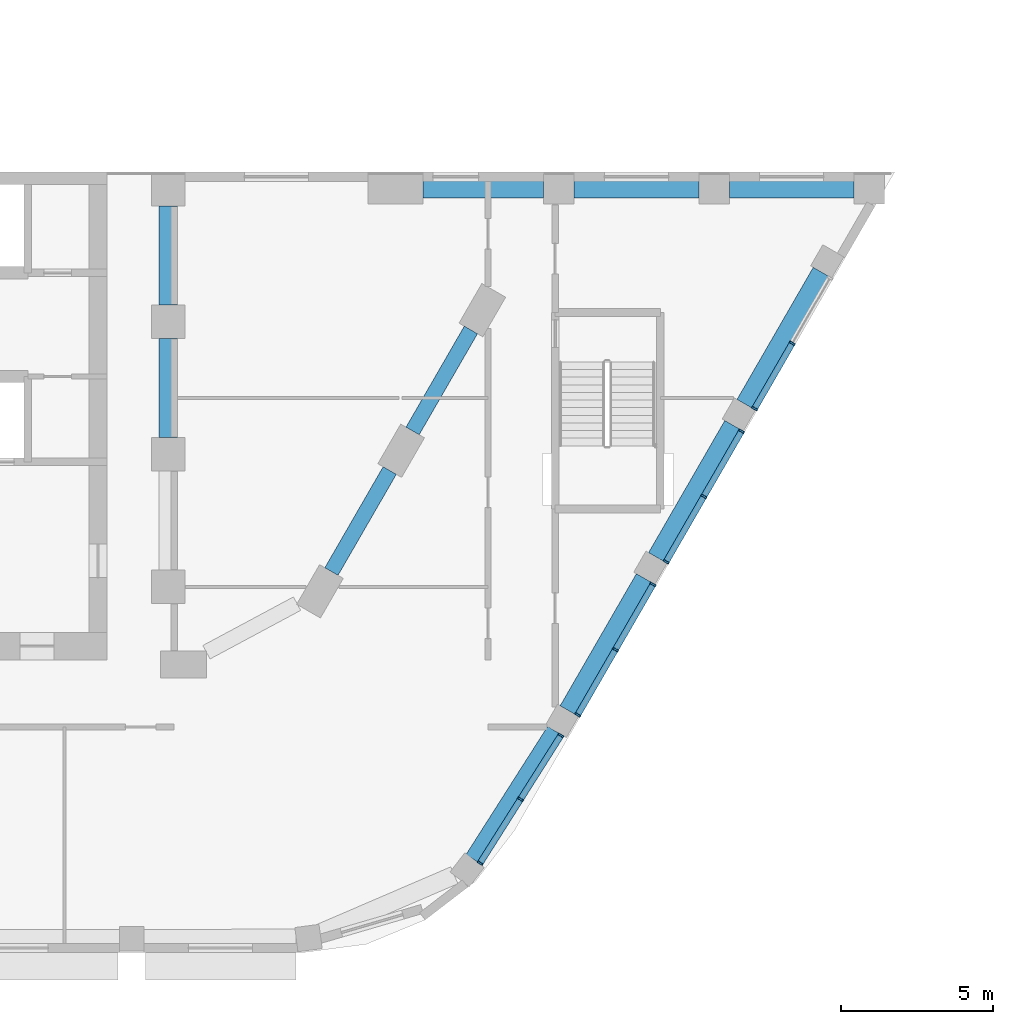
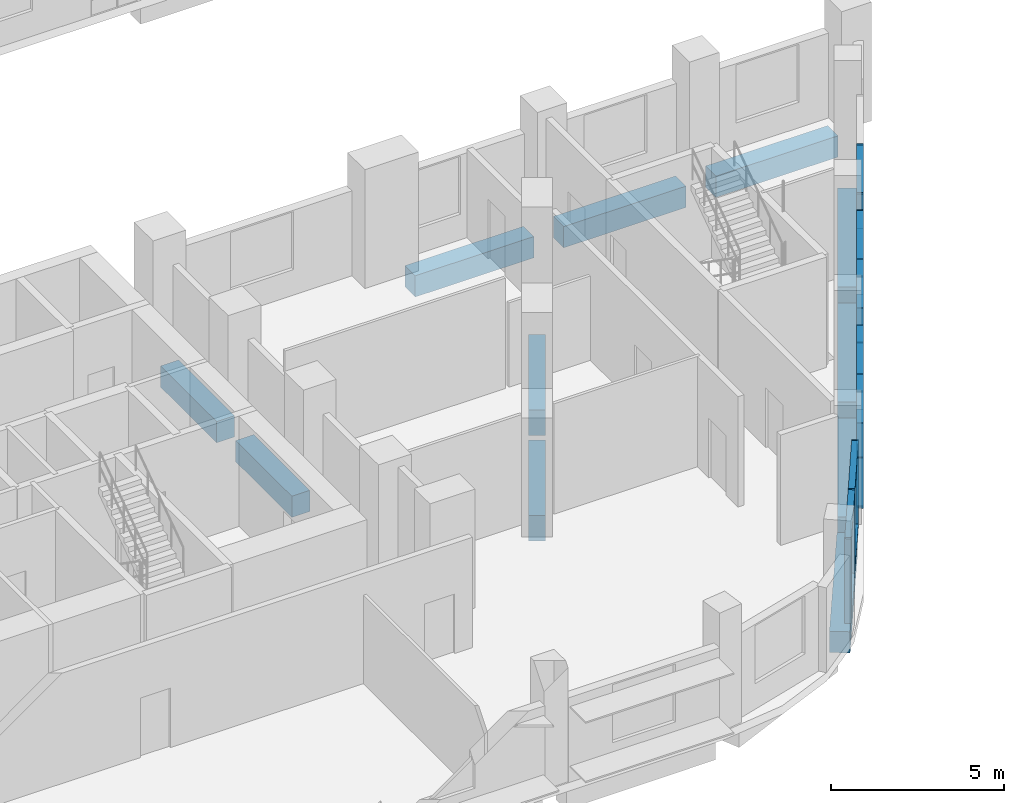
# One storey, part 2 of 45: 25 members, 11 beams, 4 elements without a shape of their own.
"""IFC4 building model written with IfcOpenShell, lengths in metres."""

from ifc_helpers import new_model, si_unit, direction, frame, origin, origin_2d, place, context, subcontext, project, spatial, rectangle, extrude, material, layer, layer_set, material_profile, profile_set, type_object, element, aggregate, save


model = new_model("IFC4")

# Units and contexts
model_context = context("Model", 3, precision=1e-05, world=origin(), true_north=direction((0.0, 1.0)))
body_context = subcontext(model_context, "Body", "Model", "MODEL_VIEW")
ifc_project = project(units=[si_unit("LENGTHUNIT", "METRE"), si_unit("AREAUNIT", "SQUARE_METRE"), si_unit("VOLUMEUNIT", "CUBIC_METRE"), si_unit("PLANEANGLEUNIT", "RADIAN"), si_unit("MASSUNIT", "GRAM", prefix="KILO")], contexts=[model_context])

# Site, building, storey
site_placement = place(None, origin())
site = spatial("IfcSite", under=ifc_project, at=site_placement, CompositionType="ELEMENT")
building_placement = place(site_placement, origin())
building = spatial("IfcBuilding", under=site, at=building_placement, Name="Nakaniwa Court", CompositionType="ELEMENT")
storey_placement = place(building_placement, frame((0.0, 0.0, 11.39990234375)))
storey = spatial("IfcBuildingStorey", under=building, at=storey_placement, Name="L02", CompositionType="ELEMENT", Elevation=11.39990234375)

# Beams
ifc_material_1 = material(Name="Concrete C100/115", Category="concrete")
ifc_material_profile_1 = material_profile(ifc_material_1, rectangle(XDim=0.5, YDim=0.89990234375, at=origin_2d()), Name="Concrete C100/115 RC 500x900 spandrel beam")
ifc_profile_set_1 = profile_set([ifc_material_profile_1], Name="Concrete C100/115")
beam_type_1 = type_object("IfcBeamType", Name="Concrete C100/115 RC 500x900 spandrel beam", PredefinedType="BEAM", material=ifc_profile_set_1)
beam_1_placement = place(storey_placement, frame((95.357421875, 59.5, -0.75), z_axis=(0.500009674092, 0.866019818373, 0.0), x_axis=(-0.866019818373, 0.500009674092, 0.0)))
element("IfcBeam", 1, at=beam_1_placement, inside=storey, type_object=beam_type_1, Name="SPANDREL BEAM", PredefinedType="BEAM", context=body_context, shape_type="SweptSolid", body=[
    extrude(rectangle(XDim=0.5, YDim=0.89990234375, at=origin_2d()), origin(), (0.0, 0.0, 1.0), 3.826171875),
])
beam_2_placement = place(storey_placement, frame((98.0205078125, 64.1123046875, -0.75), z_axis=(0.499961815444, 0.866047448526, 0.0), x_axis=(-0.866047448526, 0.499961815444, 0.0)))
element("IfcBeam", 2, at=beam_2_placement, inside=storey, type_object=beam_type_1, Name="SPANDREL BEAM", PredefinedType="BEAM", context=body_context, shape_type="SweptSolid", body=[
    extrude(rectangle(XDim=0.5, YDim=0.89990234375, at=origin_2d()), origin(), (0.0, 0.0, 1.0), 3.825927734375),
])
ifc_material_profile_2 = material_profile(ifc_material_1, rectangle(XDim=0.60009765625, YDim=0.75, at=origin_2d()), Name="Concrete C100/115 RC 600x750 ring beam")
ifc_profile_set_2 = profile_set([ifc_material_profile_2], Name="Concrete C100/115")
beam_type_2 = type_object("IfcBeamType", Name="Concrete C100/115 RC 600x750 ring beam", PredefinedType="BEAM", material=ifc_profile_set_2)
for number, where, z_axis, x_axis, name in (
    (3, (90.0, 63.89990234375, -0.6748046875), (0.0, 1.0, 0.0), (-1.0, 0.0, 0.0), "RING BEAM"),
    (4, (90.0, 68.25, -0.6748046875), (0.0, 1.0, 0.0), (-1.0, 0.0, 0.0), "RING BEAM"),
):
    element("IfcBeam", number, at=place(storey_placement, frame(where, z_axis=z_axis, x_axis=x_axis)), inside=storey, type_object=beam_type_2, Name=name, PredefinedType="BEAM", context=body_context, shape_type="SweptSolid", body=[
        extrude(rectangle(XDim=0.60009765625, YDim=0.75, at=origin_2d()), origin(), (0.0, 0.0, 1.0), 3.25),
    ])
beam_3_placement = place(storey_placement, frame((100.025390625, 50.0546875, -0.6748046875), z_axis=(0.537280707884, 0.843403486438, 0.0), x_axis=(-0.843403486438, 0.537280707884, 0.0)))
element("IfcBeam", 5, at=beam_3_placement, inside=storey, type_object=beam_type_2, Name="RING BEAM", PredefinedType="BEAM", context=body_context, shape_type="SweptSolid", body=[
    extrude(rectangle(XDim=0.60009765625, YDim=0.75, at=origin_2d()), origin(), (0.0, 0.0, 1.0), 4.9892578125),
])
for number, where, z_axis, x_axis, name in (
    (6, (103.12109375, 54.94677734375, -0.6748046875), (0.499997052475, 0.866027105532, 0.0), (-0.866027105532, 0.499997052475, 0.0), "RING BEAM"),
    (7, (106.022216796875, 59.9716796875, -0.6748046875), (0.499960447986, 0.866048237946, 0.0), (-0.866048237946, 0.499960447986, 0.0), "RING BEAM"),
    (8, (108.92333984375, 64.99658203125, -0.6748046875), (0.499997052475, 0.866027105532, 0.0), (-0.866027105532, 0.499997052475, 0.0), "RING BEAM"),
):
    element("IfcBeam", number, at=place(storey_placement, frame(where, z_axis=z_axis, x_axis=x_axis)), inside=storey, type_object=beam_type_2, Name=name, PredefinedType="BEAM", context=body_context, shape_type="SweptSolid", body=[
        extrude(rectangle(XDim=0.60009765625, YDim=0.75, at=origin_2d()), origin(), (0.0, 0.0, 1.0), 5.00244140625),
    ])
beam_4_placement = place(storey_placement, frame((98.35791015625, 72.050048828125, -0.6748046875), z_axis=(1.0, 0.0, 0.0), x_axis=(0.0, 1.0, 0.0)))
element("IfcBeam", 9, at=beam_4_placement, inside=storey, type_object=beam_type_2, Name="RING BEAM", PredefinedType="BEAM", context=body_context, shape_type="SweptSolid", body=[
    extrude(rectangle(XDim=0.60009765625, YDim=0.75, at=origin_2d()), origin(), (0.0, 0.0, 1.0), 3.965087890625),
])
beam_5_placement = place(storey_placement, frame((103.322998046875, 72.050048828125, -0.6748046875), z_axis=(1.0, 0.0, 0.0), x_axis=(0.0, 1.0, 0.0)))
element("IfcBeam", 10, at=beam_5_placement, inside=storey, type_object=beam_type_2, Name="RING BEAM", PredefinedType="BEAM", context=body_context, shape_type="SweptSolid", body=[
    extrude(rectangle(XDim=0.60009765625, YDim=0.75, at=origin_2d()), origin(), (0.0, 0.0, 1.0), 4.0859375),
])
beam_6_placement = place(storey_placement, frame((108.408935546875, 72.050048828125, -0.6748046875), z_axis=(1.0, 0.0, 0.0), x_axis=(0.0, 1.0, 0.0)))
element("IfcBeam", 11, at=beam_6_placement, inside=storey, type_object=beam_type_2, Name="RING BEAM", PredefinedType="BEAM", context=body_context, shape_type="SweptSolid", body=[
    extrude(rectangle(XDim=0.60009765625, YDim=0.75, at=origin_2d()), origin(), (0.0, 0.0, 1.0), 4.087158203125),
])

# Curtain wall, members
ifc_material_2 = material(Name="Black anodised aluminium frame with dark low-E laminated double glazing", Category="aluminium")
ifc_layer = layer(ifc_material_2, 0.199951171875)
ifc_layer_set = layer_set([ifc_layer], Name="Black anodised aluminium frame with dark low-E laminated double glazing")
curtain_wall_type = type_object("IfcCurtainWallType", Name="Podium unitised curtain wall", PredefinedType="NOTDEFINED", material=ifc_layer_set)
curtain_wall_1_placement = place(storey_placement, origin())
curtain_wall_1 = element("IfcCurtainWall", 12, at=curtain_wall_1_placement, inside=storey, type_object=curtain_wall_type, Name="L02 curtain wall CW1 00", PredefinedType="NOTDEFINED")
ifc_material_3 = material(Name="Black anodised aluminium extrusion", Category="aluminium")
ifc_material_profile_3 = material_profile(ifc_material_3, rectangle(XDim=0.199951171875, YDim=0.06494140625, at=origin_2d()), Name="Podium unitised curtain wall mullion 65x200")
ifc_profile_set_3 = profile_set([ifc_material_profile_3], Name="Black anodised aluminium extrusion")
member_type_1 = type_object("IfcMemberType", Name="Podium unitised curtain wall mullion 65x200", PredefinedType="MULLION", material=ifc_profile_set_3)
member_1_placement = place(storey_placement, frame((103.4384765625, 54.79638671875, 0.0), z_axis=(0.0, 0.0, 1.0), x_axis=(-0.866037354758, 0.499979299736, 0.0)))
member_1 = element("IfcMember", 13, at=member_1_placement, type_object=member_type_1, Name="CW1 mullion 1", PredefinedType="MULLION", context=body_context, shape_type="SweptSolid", body=[
    extrude(rectangle(XDim=0.199951171875, YDim=0.06494140625, at=origin_2d()), origin(), (0.0, 0.0, 1.0), 3.0),
])
member_2_placement = place(storey_placement, frame((104.6748046875, 56.93798828125, 0.0), z_axis=(0.0, 0.0, 1.0), x_axis=(-0.866037354758, 0.499979299736, 0.0)))
member_2 = element("IfcMember", 14, at=member_2_placement, type_object=member_type_1, Name="CW1 mullion 2", PredefinedType="MULLION", context=body_context, shape_type="SweptSolid", body=[
    extrude(rectangle(XDim=0.199951171875, YDim=0.06494140625, at=origin_2d()), origin(), (0.0, 0.0, 1.0), 3.0),
])
member_3_placement = place(storey_placement, frame((105.9111328125, 59.079345703125, 0.0), z_axis=(0.0, 0.0, 1.0), x_axis=(-0.866037354758, 0.499979299736, 0.0)))
member_3 = element("IfcMember", 15, at=member_3_placement, type_object=member_type_1, Name="CW1 mullion 3", PredefinedType="MULLION", context=body_context, shape_type="SweptSolid", body=[
    extrude(rectangle(XDim=0.199951171875, YDim=0.06494140625, at=origin_2d()), origin(), (0.0, 0.0, 1.0), 3.0),
])

curtain_wall_2_placement = place(storey_placement, origin())
curtain_wall_2 = element("IfcCurtainWall", 16, at=curtain_wall_2_placement, inside=storey, type_object=curtain_wall_type, Name="L02 curtain wall CW1 01", PredefinedType="NOTDEFINED")
member_4_placement = place(storey_placement, frame((106.339599609375, 59.821533203125, 0.0), z_axis=(0.0, 0.0, 1.0), x_axis=(-0.866032365426, 0.499987941889, 0.0)))
member_4 = element("IfcMember", 17, at=member_4_placement, type_object=member_type_1, Name="CW1 mullion 1", PredefinedType="MULLION", context=body_context, shape_type="SweptSolid", body=[
    extrude(rectangle(XDim=0.199951171875, YDim=0.06494140625, at=origin_2d()), origin(), (0.0, 0.0, 1.0), 3.0),
])
member_5_placement = place(storey_placement, frame((107.575927734375, 61.962890625, 0.0), z_axis=(0.0, 0.0, 1.0), x_axis=(-0.866032365426, 0.499987941889, 0.0)))
member_5 = element("IfcMember", 18, at=member_5_placement, type_object=member_type_1, Name="CW1 mullion 2", PredefinedType="MULLION", context=body_context, shape_type="SweptSolid", body=[
    extrude(rectangle(XDim=0.199951171875, YDim=0.06494140625, at=origin_2d()), origin(), (0.0, 0.0, 1.0), 3.0),
])
member_6_placement = place(storey_placement, frame((108.812255859375, 64.104248046875, 0.0), z_axis=(0.0, 0.0, 1.0), x_axis=(-0.866032365426, 0.499987941889, 0.0)))
member_6 = element("IfcMember", 19, at=member_6_placement, type_object=member_type_1, Name="CW1 mullion 3", PredefinedType="MULLION", context=body_context, shape_type="SweptSolid", body=[
    extrude(rectangle(XDim=0.199951171875, YDim=0.06494140625, at=origin_2d()), origin(), (0.0, 0.0, 1.0), 3.0),
])

curtain_wall_3_placement = place(storey_placement, origin())
curtain_wall_3 = element("IfcCurtainWall", 20, at=curtain_wall_3_placement, inside=storey, type_object=curtain_wall_type, Name="L02 curtain wall CW1 02", PredefinedType="NOTDEFINED")
member_7_placement = place(storey_placement, frame((109.24072265625, 64.846435546875, 0.0), z_axis=(0.0, 0.0, 1.0), x_axis=(-0.866023723106, 0.500002911009, 0.0)))
member_7 = element("IfcMember", 21, at=member_7_placement, type_object=member_type_1, Name="CW1 mullion 1", PredefinedType="MULLION", context=body_context, shape_type="SweptSolid", body=[
    extrude(rectangle(XDim=0.199951171875, YDim=0.06494140625, at=origin_2d()), origin(), (0.0, 0.0, 1.0), 3.0),
])
member_8_placement = place(storey_placement, frame((110.47705078125, 66.98779296875, 0.0), z_axis=(0.0, 0.0, 1.0), x_axis=(-0.866023723106, 0.500002911009, 0.0)))
member_8 = element("IfcMember", 22, at=member_8_placement, type_object=member_type_1, Name="CW1 mullion 2", PredefinedType="MULLION", context=body_context, shape_type="SweptSolid", body=[
    extrude(rectangle(XDim=0.199951171875, YDim=0.06494140625, at=origin_2d()), origin(), (0.0, 0.0, 1.0), 3.0),
])

curtain_wall_4_placement = place(storey_placement, origin())
curtain_wall_4 = element("IfcCurtainWall", 23, at=curtain_wall_4_placement, inside=storey, type_object=curtain_wall_type, Name="L02 curtain wall CW1 26", PredefinedType="NOTDEFINED")
member_9_placement = place(storey_placement, frame((100.235595703125, 49.93505859375, 0.0), z_axis=(0.0, 0.0, 1.0), x_axis=(-0.845107295343, 0.534596725914, 0.0)))
member_9 = element("IfcMember", 24, at=member_9_placement, type_object=member_type_1, Name="CW1 mullion 1", PredefinedType="MULLION", context=body_context, shape_type="SweptSolid", body=[
    extrude(rectangle(XDim=0.199951171875, YDim=0.06494140625, at=origin_2d()), origin(), (0.0, 0.0, 1.0), 3.0),
])
member_10_placement = place(storey_placement, frame((101.560546875, 52.029541015625, 0.0), z_axis=(0.0, 0.0, 1.0), x_axis=(-0.845107295343, 0.534596725914, 0.0)))
member_10 = element("IfcMember", 25, at=member_10_placement, type_object=member_type_1, Name="CW1 mullion 2", PredefinedType="MULLION", context=body_context, shape_type="SweptSolid", body=[
    extrude(rectangle(XDim=0.199951171875, YDim=0.06494140625, at=origin_2d()), origin(), (0.0, 0.0, 1.0), 3.0),
])
member_11_placement = place(storey_placement, frame((102.885498046875, 54.1240234375, 0.0), z_axis=(0.0, 0.0, 1.0), x_axis=(-0.845107295343, 0.534596725914, 0.0)))
member_11 = element("IfcMember", 26, at=member_11_placement, type_object=member_type_1, Name="CW1 mullion 3", PredefinedType="MULLION", context=body_context, shape_type="SweptSolid", body=[
    extrude(rectangle(XDim=0.199951171875, YDim=0.06494140625, at=origin_2d()), origin(), (0.0, 0.0, 1.0), 3.0),
])

# Member
ifc_material_profile_4 = material_profile(ifc_material_3, rectangle(XDim=0.199951171875, YDim=0.050048828125, at=origin_2d()), Name="Podium unitised curtain wall transom 50x200")
ifc_profile_set_4 = profile_set([ifc_material_profile_4], Name="Black anodised aluminium extrusion")
member_type_2 = type_object("IfcMemberType", Name="Podium unitised curtain wall transom 50x200", PredefinedType="USERDEFINED", material=ifc_profile_set_4)
member_12_placement = place(storey_placement, frame((103.45458984375, 54.82470703125, 0.025146484375), z_axis=(0.50003260427, 0.866006578882, 0.0), x_axis=(-0.866006578882, 0.50003260427, 0.0)))
member_12 = element("IfcMember", 27, at=member_12_placement, type_object=member_type_2, Name="CW1 transom 1.1", ObjectType="TRANSOM", PredefinedType="USERDEFINED", context=body_context, shape_type="SweptSolid", body=[
    extrude(rectangle(XDim=0.199951171875, YDim=0.050048828125, at=origin_2d()), origin(), (0.0, 0.0, 1.0), 2.407470703125),
])

member_13_placement = place(storey_placement, frame((103.45458984375, 54.82470703125, 2.97509765625), z_axis=(0.50003260427, 0.866006578882, 0.0), x_axis=(-0.866006578882, 0.50003260427, 0.0)))
member_13 = element("IfcMember", 28, at=member_13_placement, type_object=member_type_2, Name="CW1 transom 1.2", ObjectType="TRANSOM", PredefinedType="USERDEFINED", context=body_context, shape_type="SweptSolid", body=[
    extrude(rectangle(XDim=0.199951171875, YDim=0.050048828125, at=origin_2d()), origin(), (0.0, 0.0, 1.0), 2.407470703125),
])

member_14_placement = place(storey_placement, frame((104.69091796875, 56.966064453125, 0.025146484375), z_axis=(0.499988695522, 0.866031930329, 0.0), x_axis=(-0.866031930329, 0.499988695522, 0.0)))
member_14 = element("IfcMember", 29, at=member_14_placement, type_object=member_type_2, Name="CW1 transom 2.1", ObjectType="TRANSOM", PredefinedType="USERDEFINED", context=body_context, shape_type="SweptSolid", body=[
    extrude(rectangle(XDim=0.199951171875, YDim=0.050048828125, at=origin_2d()), origin(), (0.0, 0.0, 1.0), 2.40771484375),
])

member_15_placement = place(storey_placement, frame((104.69091796875, 56.966064453125, 2.97509765625), z_axis=(0.499988695522, 0.866031930329, 0.0), x_axis=(-0.866031930329, 0.499988695522, 0.0)))
member_15 = element("IfcMember", 30, at=member_15_placement, type_object=member_type_2, Name="CW1 transom 2.2", ObjectType="TRANSOM", PredefinedType="USERDEFINED", context=body_context, shape_type="SweptSolid", body=[
    extrude(rectangle(XDim=0.199951171875, YDim=0.050048828125, at=origin_2d()), origin(), (0.0, 0.0, 1.0), 2.40771484375),
])

aggregate(curtain_wall_1, [member_1, member_2, member_3, member_12, member_13, member_14, member_15])

member_16_placement = place(storey_placement, frame((106.355712890625, 59.849609375, 0.025146484375), z_axis=(0.499988695522, 0.866031930329, 0.0), x_axis=(-0.866031930329, 0.499988695522, 0.0)))
member_16 = element("IfcMember", 31, at=member_16_placement, type_object=member_type_2, Name="CW1 transom 1.1", ObjectType="TRANSOM", PredefinedType="USERDEFINED", context=body_context, shape_type="SweptSolid", body=[
    extrude(rectangle(XDim=0.199951171875, YDim=0.050048828125, at=origin_2d()), origin(), (0.0, 0.0, 1.0), 2.40771484375),
])

member_17_placement = place(storey_placement, frame((106.355712890625, 59.849609375, 2.97509765625), z_axis=(0.499988695522, 0.866031930329, 0.0), x_axis=(-0.866031930329, 0.499988695522, 0.0)))
member_17 = element("IfcMember", 32, at=member_17_placement, type_object=member_type_2, Name="CW1 transom 1.2", ObjectType="TRANSOM", PredefinedType="USERDEFINED", context=body_context, shape_type="SweptSolid", body=[
    extrude(rectangle(XDim=0.199951171875, YDim=0.050048828125, at=origin_2d()), origin(), (0.0, 0.0, 1.0), 2.40771484375),
])

member_18_placement = place(storey_placement, frame((107.592041015625, 61.990966796875, 0.025146484375), z_axis=(0.499988695522, 0.866031930329, 0.0), x_axis=(-0.866031930329, 0.499988695522, 0.0)))
member_18 = element("IfcMember", 33, at=member_18_placement, type_object=member_type_2, Name="CW1 transom 2.1", ObjectType="TRANSOM", PredefinedType="USERDEFINED", context=body_context, shape_type="SweptSolid", body=[
    extrude(rectangle(XDim=0.199951171875, YDim=0.050048828125, at=origin_2d()), origin(), (0.0, 0.0, 1.0), 2.40771484375),
])

member_19_placement = place(storey_placement, frame((107.592041015625, 61.990966796875, 2.97509765625), z_axis=(0.499988695522, 0.866031930329, 0.0), x_axis=(-0.866031930329, 0.499988695522, 0.0)))
member_19 = element("IfcMember", 34, at=member_19_placement, type_object=member_type_2, Name="CW1 transom 2.2", ObjectType="TRANSOM", PredefinedType="USERDEFINED", context=body_context, shape_type="SweptSolid", body=[
    extrude(rectangle(XDim=0.199951171875, YDim=0.050048828125, at=origin_2d()), origin(), (0.0, 0.0, 1.0), 2.40771484375),
])

aggregate(curtain_wall_2, [member_4, member_5, member_6, member_16, member_17, member_18, member_19])

member_20_placement = place(storey_placement, frame((109.2568359375, 64.87451171875, 0.025146484375), z_axis=(0.499988695522, 0.866031930329, 0.0), x_axis=(-0.866031930329, 0.499988695522, 0.0)))
member_20 = element("IfcMember", 35, at=member_20_placement, type_object=member_type_2, Name="CW1 transom 1.1", ObjectType="TRANSOM", PredefinedType="USERDEFINED", context=body_context, shape_type="SweptSolid", body=[
    extrude(rectangle(XDim=0.199951171875, YDim=0.050048828125, at=origin_2d()), origin(), (0.0, 0.0, 1.0), 2.40771484375),
])

member_21_placement = place(storey_placement, frame((109.2568359375, 64.87451171875, 2.97509765625), z_axis=(0.499988695522, 0.866031930329, 0.0), x_axis=(-0.866031930329, 0.499988695522, 0.0)))
member_21 = element("IfcMember", 36, at=member_21_placement, type_object=member_type_2, Name="CW1 transom 1.2", ObjectType="TRANSOM", PredefinedType="USERDEFINED", context=body_context, shape_type="SweptSolid", body=[
    extrude(rectangle(XDim=0.199951171875, YDim=0.050048828125, at=origin_2d()), origin(), (0.0, 0.0, 1.0), 2.40771484375),
])

aggregate(curtain_wall_3, [member_7, member_8, member_20, member_21])

member_22_placement = place(storey_placement, frame((100.2529296875, 49.96240234375, 0.025146484375), z_axis=(0.534628443241, 0.84508723081, 0.0), x_axis=(-0.84508723081, 0.534628443241, 0.0)))
member_22 = element("IfcMember", 37, at=member_22_placement, type_object=member_type_2, Name="CW1 transom 1.1", ObjectType="TRANSOM", PredefinedType="USERDEFINED", context=body_context, shape_type="SweptSolid", body=[
    extrude(rectangle(XDim=0.199951171875, YDim=0.050048828125, at=origin_2d()), origin(), (0.0, 0.0, 1.0), 2.413330078125),
])

member_23_placement = place(storey_placement, frame((100.2529296875, 49.96240234375, 2.97509765625), z_axis=(0.534628443241, 0.84508723081, 0.0), x_axis=(-0.84508723081, 0.534628443241, 0.0)))
member_23 = element("IfcMember", 38, at=member_23_placement, type_object=member_type_2, Name="CW1 transom 1.2", ObjectType="TRANSOM", PredefinedType="USERDEFINED", context=body_context, shape_type="SweptSolid", body=[
    extrude(rectangle(XDim=0.199951171875, YDim=0.050048828125, at=origin_2d()), origin(), (0.0, 0.0, 1.0), 2.413330078125),
])

member_24_placement = place(storey_placement, frame((101.577880859375, 52.056884765625, 0.025146484375), z_axis=(0.534628443241, 0.84508723081, 0.0), x_axis=(-0.84508723081, 0.534628443241, 0.0)))
member_24 = element("IfcMember", 39, at=member_24_placement, type_object=member_type_2, Name="CW1 transom 2.1", ObjectType="TRANSOM", PredefinedType="USERDEFINED", context=body_context, shape_type="SweptSolid", body=[
    extrude(rectangle(XDim=0.199951171875, YDim=0.050048828125, at=origin_2d()), origin(), (0.0, 0.0, 1.0), 2.413330078125),
])

member_25_placement = place(storey_placement, frame((101.577880859375, 52.056884765625, 2.97509765625), z_axis=(0.534628443241, 0.84508723081, 0.0), x_axis=(-0.84508723081, 0.534628443241, 0.0)))
member_25 = element("IfcMember", 40, at=member_25_placement, type_object=member_type_2, Name="CW1 transom 2.2", ObjectType="TRANSOM", PredefinedType="USERDEFINED", context=body_context, shape_type="SweptSolid", body=[
    extrude(rectangle(XDim=0.199951171875, YDim=0.050048828125, at=origin_2d()), origin(), (0.0, 0.0, 1.0), 2.413330078125),
])

aggregate(curtain_wall_4, [member_9, member_10, member_11, member_22, member_23, member_24, member_25])

save(model, "model.ifc")
